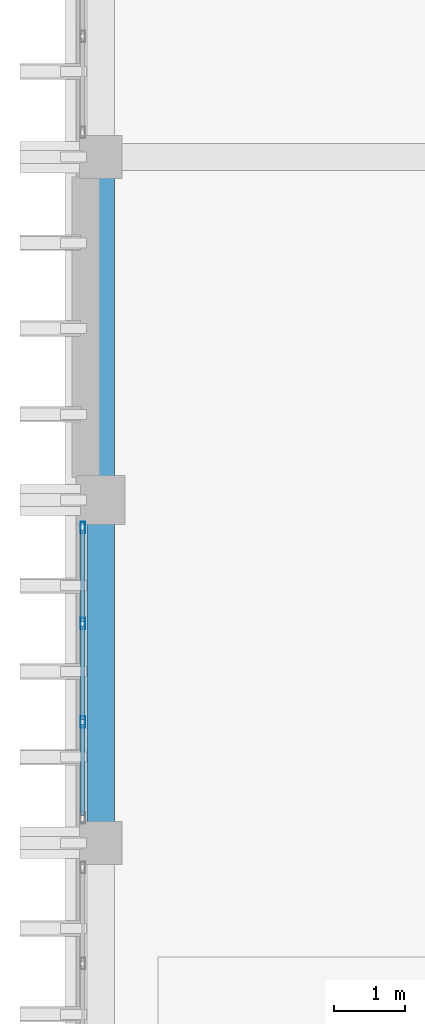
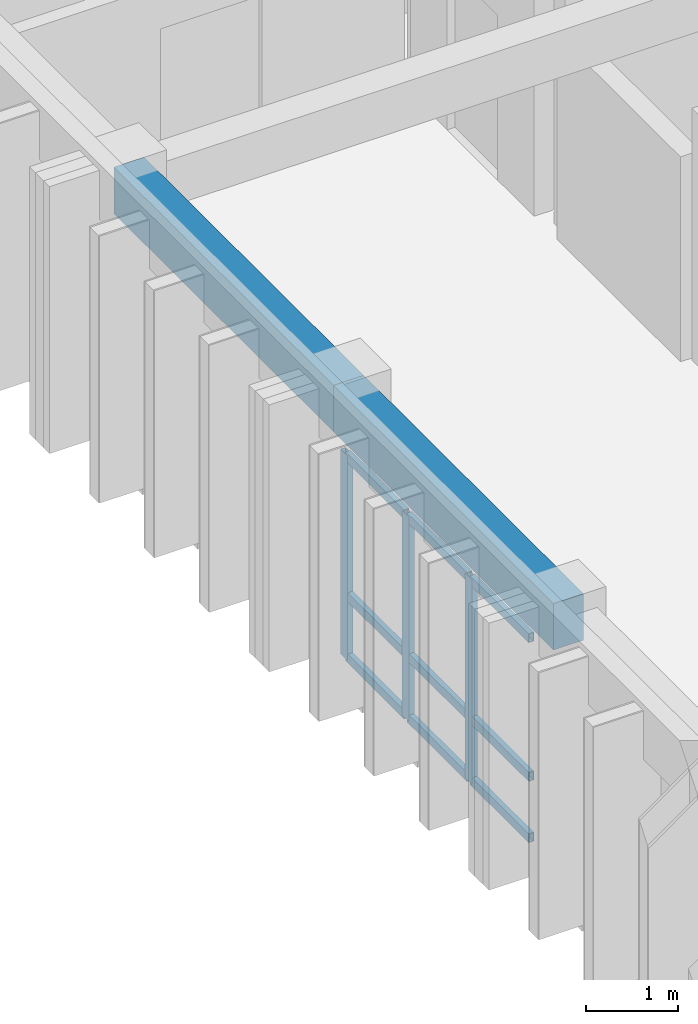
# One storey, part 18 of 53: 12 members, 2 beams, 1 element without a shape of its own.
"""IFC4 building model written with IfcOpenShell, lengths in metres."""

from ifc_helpers import new_model, si_unit, direction, frame, origin, origin_2d, place, context, subcontext, project, spatial, rectangle, hollow_rectangle, extrude, material, layer, layer_set, material_profile, profile_set, type_object, element, aggregate, save


model = new_model("IFC4")

# Units and contexts
model_context = context("Model", 3, precision=1e-05, world=origin(), true_north=direction((0.0, 1.0)))
body_context = subcontext(model_context, "Body", "Model", "MODEL_VIEW")
ifc_project = project(units=[si_unit("LENGTHUNIT", "METRE"), si_unit("AREAUNIT", "SQUARE_METRE"), si_unit("VOLUMEUNIT", "CUBIC_METRE"), si_unit("PLANEANGLEUNIT", "RADIAN"), si_unit("MASSUNIT", "GRAM", prefix="KILO")], contexts=[model_context])

# Site, building, storey
site_placement = place(None, origin())
site = spatial("IfcSite", under=ifc_project, at=site_placement, CompositionType="ELEMENT")
building_placement = place(site_placement, origin())
building = spatial("IfcBuilding", under=site, at=building_placement, Name="Nakhvara Creek Congress Hotel", CompositionType="ELEMENT")
storey_placement = place(building_placement, frame((0.0, 0.0, 35.39990234375)))
storey = spatial("IfcBuildingStorey", under=building, at=storey_placement, Name="L08", CompositionType="ELEMENT", Elevation=35.39990234375)

# Beams
ifc_material_1 = material(Name="Concrete C40/50", Category="concrete")
ifc_material_profile_1 = material_profile(ifc_material_1, rectangle(XDim=0.3798828125, YDim=0.6201171875, at=origin_2d()), Name="RC-BM 380x620", Category="LoadBearing")
ifc_profile_set_1 = profile_set([ifc_material_profile_1], Name="Concrete C40/50")
beam_type = type_object("IfcBeamType", Name="BM-RC-380X620", PredefinedType="BEAM", material=ifc_profile_set_1)
beam_1_placement = place(storey_placement, frame((149.449951171875, 81.60009765625, 3.050048828125), z_axis=(0.0, 1.0, 0.0), x_axis=(-1.0, 0.0, 0.0)))
element("IfcBeam", 1, at=beam_1_placement, inside=storey, type_object=beam_type, Name="Beam B10-L08-2438", PredefinedType="BEAM", context=body_context, shape_type="SweptSolid", body=[
    extrude(rectangle(XDim=0.3798828125, YDim=0.6201171875, at=origin_2d()), origin(), (0.0, 0.0, 1.0), 4.7998046875),
])
beam_2_placement = place(storey_placement, frame((149.449951171875, 86.39990234375, 3.050048828125), z_axis=(0.0, 1.0, 0.0), x_axis=(-1.0, 0.0, 0.0)))
element("IfcBeam", 2, at=beam_2_placement, inside=storey, type_object=beam_type, Name="Beam B10-L08-2439", PredefinedType="BEAM", context=body_context, shape_type="SweptSolid", body=[
    extrude(rectangle(XDim=0.3798828125, YDim=0.6201171875, at=origin_2d()), origin(), (0.0, 0.0, 1.0), 4.800048828125),
])

# Curtain wall, members
ifc_material_2 = material(Name="Bronze-anodised aluminium AW-6063-T6 and double-silver low-E glass", Category="aluminium")
ifc_layer = layer(ifc_material_2, 0.199951171875)
ifc_layer_set = layer_set([ifc_layer], Name="Bronze-anodised aluminium AW-6063-T6 and double-silver low-E glass")
curtain_wall_type = type_object("IfcCurtainWallType", Name="CW-HTL-UNIT", PredefinedType="USERDEFINED", material=ifc_layer_set)
curtain_wall_placement = place(storey_placement, origin())
curtain_wall = element("IfcCurtainWall", 3, at=curtain_wall_placement, inside=storey, type_object=curtain_wall_type, Name="Curtain Wall CW284", ObjectType="UNITISED", PredefinedType="USERDEFINED")
ifc_material_3 = material(Name="Bronze-anodised aluminium AW-6063-T6", Category="aluminium")
ifc_material_profile_2 = material_profile(ifc_material_3, hollow_rectangle(XDim=0.06494140625, YDim=0.159912109375, WallThickness=0.00390625, at=origin_2d()), Name="ALU-MULL 65x160x4", Category="LoadBearing")
ifc_profile_set_2 = profile_set([ifc_material_profile_2], Name="Bronze-anodised aluminium AW-6063-T6")
member_type_1 = type_object("IfcMemberType", Name="CW-MULL-160", PredefinedType="MULLION", material=ifc_profile_set_2)
member_1_placement = place(storey_placement, frame((149.199951171875, 83.291748046875, 0.0), z_axis=(0.0, 0.0, 1.0), x_axis=(-1.0, 0.0, 0.0)))
member_1 = element("IfcMember", 4, at=member_1_placement, type_object=member_type_1, Name="CW284 mullion 2", PredefinedType="MULLION", context=body_context, shape_type="SweptSolid", body=[
    extrude(hollow_rectangle(XDim=0.06494140625, YDim=0.159912109375, WallThickness=0.00390625, at=origin_2d()), origin(), (0.0, 0.0, 1.0), 2.732177734375),
])
member_2_placement = place(storey_placement, frame((149.199951171875, 84.668212890625, 0.0), z_axis=(0.0, 0.0, 1.0), x_axis=(-1.0, 0.0, 0.0)))
member_2 = element("IfcMember", 5, at=member_2_placement, type_object=member_type_1, Name="CW284 mullion 3", PredefinedType="MULLION", context=body_context, shape_type="SweptSolid", body=[
    extrude(hollow_rectangle(XDim=0.06494140625, YDim=0.159912109375, WallThickness=0.00390625, at=origin_2d()), origin(), (0.0, 0.0, 1.0), 2.732177734375),
])
member_3_placement = place(storey_placement, frame((149.199951171875, 86.012451171875, 0.0), z_axis=(0.0, 0.0, 1.0), x_axis=(-1.0, 0.0, 0.0)))
member_3 = element("IfcMember", 6, at=member_3_placement, type_object=member_type_1, Name="CW284 mullion 4", PredefinedType="MULLION", context=body_context, shape_type="SweptSolid", body=[
    extrude(hollow_rectangle(XDim=0.06494140625, YDim=0.159912109375, WallThickness=0.00390625, at=origin_2d()), origin(), (0.0, 0.0, 1.0), 2.732177734375),
])
ifc_material_profile_3 = material_profile(ifc_material_3, hollow_rectangle(XDim=0.06494140625, YDim=0.1201171875, WallThickness=0.00390625, at=origin_2d()), Name="ALU-TRAN 65x120x4", Category="LoadBearing")
ifc_profile_set_3 = profile_set([ifc_material_profile_3], Name="Bronze-anodised aluminium AW-6063-T6")
member_type_2 = type_object("IfcMemberType", Name="CW-TRAN-120", PredefinedType="USERDEFINED", material=ifc_profile_set_3)
member_4_placement = place(storey_placement, frame((149.199951171875, 81.97998046875, 0.03271484375), z_axis=(0.0, 1.0, 0.0), x_axis=(-1.0, 0.0, 0.0)))
member_4 = element("IfcMember", 7, at=member_4_placement, type_object=member_type_2, Name="CW284 transom 1.1", ObjectType="TRANSOM", PredefinedType="USERDEFINED", context=body_context, shape_type="SweptSolid", body=[
    extrude(hollow_rectangle(XDim=0.06494140625, YDim=0.1201171875, WallThickness=0.00390625, at=origin_2d()), origin(), (0.0, 0.0, 1.0), 1.279296875),
])
member_5_placement = place(storey_placement, frame((149.199951171875, 81.97998046875, 0.85009765625), z_axis=(0.0, 1.0, 0.0), x_axis=(-1.0, 0.0, 0.0)))
member_5 = element("IfcMember", 8, at=member_5_placement, type_object=member_type_2, Name="CW284 transom 1.2", ObjectType="TRANSOM", PredefinedType="USERDEFINED", context=body_context, shape_type="SweptSolid", body=[
    extrude(hollow_rectangle(XDim=0.06494140625, YDim=0.1201171875, WallThickness=0.00390625, at=origin_2d()), origin(), (0.0, 0.0, 1.0), 1.279296875),
])
member_6_placement = place(storey_placement, frame((149.199951171875, 81.97998046875, 2.69970703125), z_axis=(0.0, 1.0, 0.0), x_axis=(-1.0, 0.0, 0.0)))
member_6 = element("IfcMember", 9, at=member_6_placement, type_object=member_type_2, Name="CW284 transom 1.3", ObjectType="TRANSOM", PredefinedType="USERDEFINED", context=body_context, shape_type="SweptSolid", body=[
    extrude(hollow_rectangle(XDim=0.06494140625, YDim=0.1201171875, WallThickness=0.00390625, at=origin_2d()), origin(), (0.0, 0.0, 1.0), 1.279296875),
])
member_7_placement = place(storey_placement, frame((149.199951171875, 83.32421875, 0.03271484375), z_axis=(0.0, 1.0, 0.0), x_axis=(-1.0, 0.0, 0.0)))
member_7 = element("IfcMember", 10, at=member_7_placement, type_object=member_type_2, Name="CW284 transom 2.1", ObjectType="TRANSOM", PredefinedType="USERDEFINED", context=body_context, shape_type="SweptSolid", body=[
    extrude(hollow_rectangle(XDim=0.06494140625, YDim=0.1201171875, WallThickness=0.00390625, at=origin_2d()), origin(), (0.0, 0.0, 1.0), 1.3115234375),
])
member_8_placement = place(storey_placement, frame((149.199951171875, 83.32421875, 0.85009765625), z_axis=(0.0, 1.0, 0.0), x_axis=(-1.0, 0.0, 0.0)))
member_8 = element("IfcMember", 11, at=member_8_placement, type_object=member_type_2, Name="CW284 transom 2.2", ObjectType="TRANSOM", PredefinedType="USERDEFINED", context=body_context, shape_type="SweptSolid", body=[
    extrude(hollow_rectangle(XDim=0.06494140625, YDim=0.1201171875, WallThickness=0.00390625, at=origin_2d()), origin(), (0.0, 0.0, 1.0), 1.3115234375),
])
member_9_placement = place(storey_placement, frame((149.199951171875, 83.32421875, 2.69970703125), z_axis=(0.0, 1.0, 0.0), x_axis=(-1.0, 0.0, 0.0)))
member_9 = element("IfcMember", 12, at=member_9_placement, type_object=member_type_2, Name="CW284 transom 2.3", ObjectType="TRANSOM", PredefinedType="USERDEFINED", context=body_context, shape_type="SweptSolid", body=[
    extrude(hollow_rectangle(XDim=0.06494140625, YDim=0.1201171875, WallThickness=0.00390625, at=origin_2d()), origin(), (0.0, 0.0, 1.0), 1.3115234375),
])
member_10_placement = place(storey_placement, frame((149.199951171875, 84.700927734375, 0.03271484375), z_axis=(0.0, 1.0, 0.0), x_axis=(-1.0, 0.0, 0.0)))
member_10 = element("IfcMember", 13, at=member_10_placement, type_object=member_type_2, Name="CW284 transom 3.1", ObjectType="TRANSOM", PredefinedType="USERDEFINED", context=body_context, shape_type="SweptSolid", body=[
    extrude(hollow_rectangle(XDim=0.06494140625, YDim=0.1201171875, WallThickness=0.00390625, at=origin_2d()), origin(), (0.0, 0.0, 1.0), 1.279052734375),
])
member_11_placement = place(storey_placement, frame((149.199951171875, 84.700927734375, 0.85009765625), z_axis=(0.0, 1.0, 0.0), x_axis=(-1.0, 0.0, 0.0)))
member_11 = element("IfcMember", 14, at=member_11_placement, type_object=member_type_2, Name="CW284 transom 3.2", ObjectType="TRANSOM", PredefinedType="USERDEFINED", context=body_context, shape_type="SweptSolid", body=[
    extrude(hollow_rectangle(XDim=0.06494140625, YDim=0.1201171875, WallThickness=0.00390625, at=origin_2d()), origin(), (0.0, 0.0, 1.0), 1.279052734375),
])
member_12_placement = place(storey_placement, frame((149.199951171875, 84.700927734375, 2.69970703125), z_axis=(0.0, 1.0, 0.0), x_axis=(-1.0, 0.0, 0.0)))
member_12 = element("IfcMember", 15, at=member_12_placement, type_object=member_type_2, Name="CW284 transom 3.3", ObjectType="TRANSOM", PredefinedType="USERDEFINED", context=body_context, shape_type="SweptSolid", body=[
    extrude(hollow_rectangle(XDim=0.06494140625, YDim=0.1201171875, WallThickness=0.00390625, at=origin_2d()), origin(), (0.0, 0.0, 1.0), 1.279052734375),
])
aggregate(curtain_wall, [member_1, member_2, member_3, member_4, member_5, member_6, member_7, member_8, member_9, member_10, member_11, member_12])

save(model, "model.ifc")
